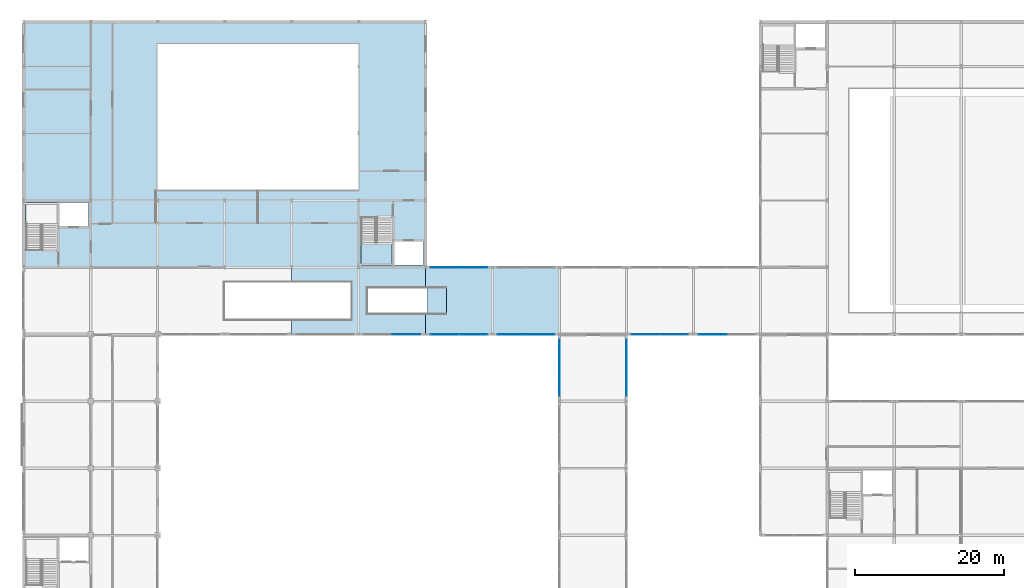
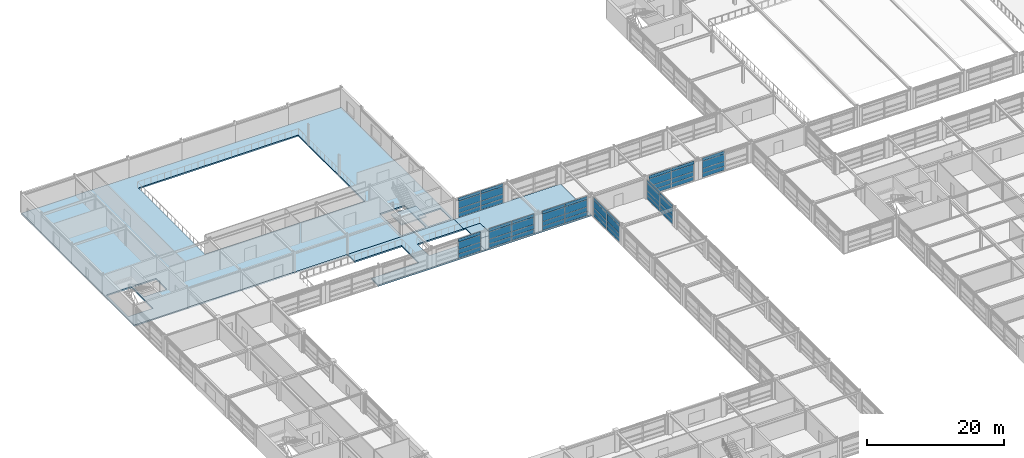
# One storey, part 55 of 79: 56 plates, 5 slabs, 8 elements without a shape of their own.
"""IFC4 building model written with IfcOpenShell, lengths in metres."""

from ifc_helpers import new_model, si_unit, direction, frame, origin, origin_2d, place, context, subcontext, project, spatial, polyline, rectangle, outline, extrude, material, layer, layer_set, type_object, element, aggregate, save


model = new_model("IFC4")

# Units and contexts
model_context = context("Model", 3, precision=1e-05, world=origin(), true_north=direction((0.0, 1.0)))
body_context = subcontext(model_context, "Body", "Model", "MODEL_VIEW")
ifc_project = project(units=[si_unit("LENGTHUNIT", "METRE"), si_unit("AREAUNIT", "SQUARE_METRE"), si_unit("VOLUMEUNIT", "CUBIC_METRE"), si_unit("PLANEANGLEUNIT", "RADIAN"), si_unit("MASSUNIT", "GRAM", prefix="KILO")], contexts=[model_context])

# Site, building, storey
site_placement = place(None, origin())
site = spatial("IfcSite", under=ifc_project, at=site_placement, CompositionType="ELEMENT")
building_placement = place(site_placement, origin())
building = spatial("IfcBuilding", under=site, at=building_placement, Name="Palais des Congres Ocreval", CompositionType="ELEMENT")
storey_placement = place(building_placement, frame((0.0, 0.0, 4.320068359375)))
storey = spatial("IfcBuildingStorey", under=building, at=storey_placement, Name="L01", CompositionType="ELEMENT", Elevation=4.320068359375)

# Curtain wall, plates
ifc_material_1 = material(Name="Anodized bronze aluminium and low-E glass", Category="glass")
curtain_wall_type = type_object("IfcCurtainWallType", Name="Unitised Curtain Wall 7900x3660", PredefinedType="USERDEFINED", material=ifc_material_1)
curtain_wall_1_placement = place(storey_placement, origin())
curtain_wall_1 = element("IfcCurtainWall", 1, at=curtain_wall_1_placement, inside=storey, type_object=curtain_wall_type, Name="Unitised Curtain Wall CW02 L01", ObjectType="UNITISED CURTAIN WALL", PredefinedType="USERDEFINED")
ifc_material_2 = material(Name="Acoustic triple glazing", Category="glass")
ifc_layer_1 = layer(ifc_material_2, 0.0439453125)
ifc_layer_set_1 = layer_set([ifc_layer_1], Name="Acoustic Laminated Glazing Panel 44 (Acoustic triple glazing)")
plate_type_1 = type_object("IfcPlateType", Name="Acoustic Laminated Glazing Panel 44", PredefinedType="CURTAIN_PANEL", material=ifc_layer_set_1)
plate_1_placement = place(storey_placement, frame((92.59375, 72.0, 0.06005859375), z_axis=(0.0, 0.0, 1.0), x_axis=(-1.0, 0.0, 0.0)))
plate_1 = element("IfcPlate", 2, at=plate_1_placement, type_object=plate_type_1, Name="Vision Glazing Panel VP02", PredefinedType="CURTAIN_PANEL", context=body_context, shape_type="SweptSolid", body=[
    extrude(rectangle(XDim=3.737548828125, YDim=0.0439453125, at=origin_2d()), origin(), (0.0, 0.0, 1.0), 0.68994140625),
])
plate_2_placement = place(storey_placement, frame((92.59375, 72.0, 0.81005859375), z_axis=(0.0, 0.0, 1.0), x_axis=(-1.0, 0.0, 0.0)))
plate_2 = element("IfcPlate", 3, at=plate_2_placement, type_object=plate_type_1, Name="Vision Glazing Panel VP02", PredefinedType="CURTAIN_PANEL", context=body_context, shape_type="SweptSolid", body=[
    extrude(rectangle(XDim=3.737548828125, YDim=0.0439453125, at=origin_2d()), origin(), (0.0, 0.0, 1.0), 0.777099609375),
])
plate_3_placement = place(storey_placement, frame((92.59375, 72.0, 1.64697265625), z_axis=(0.0, 0.0, 1.0), x_axis=(-1.0, 0.0, 0.0)))
plate_3 = element("IfcPlate", 4, at=plate_3_placement, type_object=plate_type_1, Name="Vision Glazing Panel VP02", PredefinedType="CURTAIN_PANEL", context=body_context, shape_type="SweptSolid", body=[
    extrude(rectangle(XDim=3.737548828125, YDim=0.0439453125, at=origin_2d()), origin(), (0.0, 0.0, 1.0), 1.262939453125),
])

curtain_wall_2_placement = place(storey_placement, origin())
curtain_wall_2 = element("IfcCurtainWall", 5, at=curtain_wall_2_placement, inside=storey, type_object=curtain_wall_type, Name="Unitised Curtain Wall CW02 L01", ObjectType="UNITISED CURTAIN WALL", PredefinedType="USERDEFINED")
plate_4_placement = place(storey_placement, frame((69.40625, 72.0, 0.06005859375), z_axis=(0.0, 0.0, 1.0), x_axis=(-1.0, 0.0, 0.0)))
plate_4 = element("IfcPlate", 6, at=plate_4_placement, type_object=plate_type_1, Name="Vision Glazing Panel VP02", PredefinedType="CURTAIN_PANEL", context=body_context, shape_type="SweptSolid", body=[
    extrude(rectangle(XDim=3.737548828125, YDim=0.0439453125, at=origin_2d()), origin(), (0.0, 0.0, 1.0), 0.68994140625),
])
plate_5_placement = place(storey_placement, frame((69.40625, 72.0, 0.81005859375), z_axis=(0.0, 0.0, 1.0), x_axis=(-1.0, 0.0, 0.0)))
plate_5 = element("IfcPlate", 7, at=plate_5_placement, type_object=plate_type_1, Name="Vision Glazing Panel VP02", PredefinedType="CURTAIN_PANEL", context=body_context, shape_type="SweptSolid", body=[
    extrude(rectangle(XDim=3.737548828125, YDim=0.0439453125, at=origin_2d()), origin(), (0.0, 0.0, 1.0), 0.777099609375),
])
plate_6_placement = place(storey_placement, frame((69.40625, 72.0, 1.64697265625), z_axis=(0.0, 0.0, 1.0), x_axis=(-1.0, 0.0, 0.0)))
plate_6 = element("IfcPlate", 8, at=plate_6_placement, type_object=plate_type_1, Name="Vision Glazing Panel VP02", PredefinedType="CURTAIN_PANEL", context=body_context, shape_type="SweptSolid", body=[
    extrude(rectangle(XDim=3.737548828125, YDim=0.0439453125, at=origin_2d()), origin(), (0.0, 0.0, 1.0), 1.262939453125),
])
plate_7_placement = place(storey_placement, frame((65.59375, 72.0, 0.06005859375), z_axis=(0.0, 0.0, 1.0), x_axis=(-1.0, 0.0, 0.0)))
plate_7 = element("IfcPlate", 9, at=plate_7_placement, type_object=plate_type_1, Name="Vision Glazing Panel VP02", PredefinedType="CURTAIN_PANEL", context=body_context, shape_type="SweptSolid", body=[
    extrude(rectangle(XDim=3.737548828125, YDim=0.0439453125, at=origin_2d()), origin(), (0.0, 0.0, 1.0), 0.68994140625),
])
plate_8_placement = place(storey_placement, frame((65.59375, 72.0, 0.81005859375), z_axis=(0.0, 0.0, 1.0), x_axis=(-1.0, 0.0, 0.0)))
plate_8 = element("IfcPlate", 10, at=plate_8_placement, type_object=plate_type_1, Name="Vision Glazing Panel VP02", PredefinedType="CURTAIN_PANEL", context=body_context, shape_type="SweptSolid", body=[
    extrude(rectangle(XDim=3.737548828125, YDim=0.0439453125, at=origin_2d()), origin(), (0.0, 0.0, 1.0), 0.777099609375),
])
plate_9_placement = place(storey_placement, frame((65.59375, 72.0, 1.64697265625), z_axis=(0.0, 0.0, 1.0), x_axis=(-1.0, 0.0, 0.0)))
plate_9 = element("IfcPlate", 11, at=plate_9_placement, type_object=plate_type_1, Name="Vision Glazing Panel VP02", PredefinedType="CURTAIN_PANEL", context=body_context, shape_type="SweptSolid", body=[
    extrude(rectangle(XDim=3.737548828125, YDim=0.0439453125, at=origin_2d()), origin(), (0.0, 0.0, 1.0), 1.262939453125),
])

# Plate
ifc_material_3 = material(Name="Anodized bronze aluminium", Category="aluminium")
ifc_layer_2 = layer(ifc_material_3, 0.06005859375)
ifc_layer_set_2 = layer_set([ifc_layer_2], Name="Anodized Bronze Spandrel Cassette 60 (Anodized bronze aluminium)")
plate_type_2 = type_object("IfcPlateType", Name="Anodized Bronze Spandrel Cassette 60", PredefinedType="SHEET", material=ifc_layer_set_2)
plate_10_placement = place(storey_placement, frame((92.59375, 72.0, 2.969970703125), z_axis=(0.0, 0.0, 1.0), x_axis=(-1.0, 0.0, 0.0)))
plate_10 = element("IfcPlate", 12, at=plate_10_placement, type_object=plate_type_2, Name="Spandrel Sheet SPN1", PredefinedType="SHEET", context=body_context, shape_type="SweptSolid", body=[
    extrude(rectangle(XDim=3.737548828125, YDim=0.06005859375, at=origin_2d()), origin(), (0.0, 0.0, 1.0), 0.56005859375),
])

aggregate(curtain_wall_1, [plate_1, plate_2, plate_3, plate_10])

# Curtain wall, plates
curtain_wall_3_placement = place(storey_placement, origin())
curtain_wall_3 = element("IfcCurtainWall", 13, at=curtain_wall_3_placement, inside=storey, type_object=curtain_wall_type, Name="Unitised Curtain Wall CW02 L01", ObjectType="UNITISED CURTAIN WALL", PredefinedType="USERDEFINED")
plate_11_placement = place(storey_placement, frame((81.0, 69.40625, 2.969970703125), z_axis=(0.0, 0.0, 1.0), x_axis=(0.0, -1.0, 0.0)))
plate_11 = element("IfcPlate", 14, at=plate_11_placement, type_object=plate_type_2, Name="Spandrel Sheet SPN1", PredefinedType="SHEET", context=body_context, shape_type="SweptSolid", body=[
    extrude(rectangle(XDim=3.737548828125, YDim=0.06005859375, at=origin_2d()), origin(), (0.0, 0.0, 1.0), 0.56005859375),
])
plate_12_placement = place(storey_placement, frame((81.0, 65.59375, 2.969970703125), z_axis=(0.0, 0.0, 1.0), x_axis=(0.0, -1.0, 0.0)))
plate_12 = element("IfcPlate", 15, at=plate_12_placement, type_object=plate_type_2, Name="Spandrel Sheet SPN1", PredefinedType="SHEET", context=body_context, shape_type="SweptSolid", body=[
    extrude(rectangle(XDim=3.737548828125, YDim=0.06005859375, at=origin_2d()), origin(), (0.0, 0.0, 1.0), 0.56005859375),
])

curtain_wall_4_placement = place(storey_placement, origin())
curtain_wall_4 = element("IfcCurtainWall", 16, at=curtain_wall_4_placement, inside=storey, type_object=curtain_wall_type, Name="Unitised Curtain Wall CW02 L01", ObjectType="UNITISED CURTAIN WALL", PredefinedType="USERDEFINED")
plate_13_placement = place(storey_placement, frame((72.0, 65.59375, 2.969970703125), z_axis=(0.0, 0.0, 1.0), x_axis=(0.0, 1.0, 0.0)))
plate_13 = element("IfcPlate", 17, at=plate_13_placement, type_object=plate_type_2, Name="Spandrel Sheet SPN1", PredefinedType="SHEET", context=body_context, shape_type="SweptSolid", body=[
    extrude(rectangle(XDim=3.737548828125, YDim=0.06005859375, at=origin_2d()), origin(), (0.0, 0.0, 1.0), 0.56005859375),
])
plate_14_placement = place(storey_placement, frame((72.0, 69.40625, 2.969970703125), z_axis=(0.0, 0.0, 1.0), x_axis=(0.0, 1.0, 0.0)))
plate_14 = element("IfcPlate", 18, at=plate_14_placement, type_object=plate_type_2, Name="Spandrel Sheet SPN1", PredefinedType="SHEET", context=body_context, shape_type="SweptSolid", body=[
    extrude(rectangle(XDim=3.737548828125, YDim=0.06005859375, at=origin_2d()), origin(), (0.0, 0.0, 1.0), 0.56005859375),
])

curtain_wall_5_placement = place(storey_placement, origin())
curtain_wall_5 = element("IfcCurtainWall", 19, at=curtain_wall_5_placement, inside=storey, type_object=curtain_wall_type, Name="Unitised Curtain Wall CW02 L01", ObjectType="UNITISED CURTAIN WALL", PredefinedType="USERDEFINED")
plate_15_placement = place(storey_placement, frame((60.40625, 72.0, 2.969970703125), z_axis=(0.0, 0.0, 1.0), x_axis=(-1.0, 0.0, 0.0)))
plate_15 = element("IfcPlate", 20, at=plate_15_placement, type_object=plate_type_2, Name="Spandrel Sheet SPN1", PredefinedType="SHEET", context=body_context, shape_type="SweptSolid", body=[
    extrude(rectangle(XDim=3.737548828125, YDim=0.06005859375, at=origin_2d()), origin(), (0.0, 0.0, 1.0), 0.56005859375),
])
plate_16_placement = place(storey_placement, frame((56.59375, 72.0, 2.969970703125), z_axis=(0.0, 0.0, 1.0), x_axis=(-1.0, 0.0, 0.0)))
plate_16 = element("IfcPlate", 21, at=plate_16_placement, type_object=plate_type_2, Name="Spandrel Sheet SPN1", PredefinedType="SHEET", context=body_context, shape_type="SweptSolid", body=[
    extrude(rectangle(XDim=3.737548828125, YDim=0.06005859375, at=origin_2d()), origin(), (0.0, 0.0, 1.0), 0.56005859375),
])

# Slabs
ifc_material_4 = material(Name="Concrete C35/45", Category="concrete")
ifc_layer_3 = layer(ifc_material_4, 0.2548828125)
ifc_layer_set_3 = layer_set([ifc_layer_3], Name="Composite Floor Deck 255 Concrete C35/45")
slab_type_1 = type_object("IfcSlabType", Name="Composite Floor Deck 255 Concrete C35/45", PredefinedType="FLOOR", material=ifc_layer_set_3)
slab_1_placement = place(storey_placement, frame((0.0, 0.0, -0.255126953125)))
element("IfcSlab", 22, at=slab_1_placement, inside=storey, type_object=slab_type_1, Name="Floor Slab SL13 L01 V1-1", PredefinedType="FLOOR", context=body_context, shape_type="SweptSolid", body=[
    extrude(outline(polyline([(0.0, 114.0), (54.0, 114.0), (54.0, 81.0), (0.0, 81.0), (0.0, 114.0)]), holes=[polyline([(49.5, 87.64990234375), (45.300048828125, 87.64990234375), (45.300048828125, 81.300048828125), (49.5, 81.300048828125), (49.5, 87.64990234375)]), polyline([(4.5, 89.699951171875), (0.300048828125, 89.699951171875), (0.300048828125, 83.35009765625), (4.5, 83.35009765625), (4.5, 89.699951171875)]), polyline([(8.699951171875, 89.699951171875), (4.800048828125, 89.699951171875), (4.800048828125, 86.550048828125), (8.699951171875, 86.550048828125), (8.699951171875, 89.699951171875)]), polyline([(45.0, 111.0), (18.0, 111.0), (18.0, 91.5), (45.0, 91.5), (45.0, 111.0)]), polyline([(53.699951171875, 84.449951171875), (49.800048828125, 84.449951171875), (49.800048828125, 81.300048828125), (53.699951171875, 81.300048828125), (53.699951171875, 84.449951171875)])]), origin(), (0.0, 0.0, 1.0), 0.255126953125),
])
ifc_layer_4 = layer(ifc_material_4, 0.264892578125)
ifc_layer_set_4 = layer_set([ifc_layer_4], Name="Crossroads Gallery Composite Slab 265 Concrete C35/45")
slab_type_2 = type_object("IfcSlabType", Name="Crossroads Gallery Composite Slab 265 Concrete C35/45", PredefinedType="FLOOR", material=ifc_layer_set_4)
slab_2_placement = place(storey_placement, frame((0.0, 0.0, -0.26513671875)))
element("IfcSlab", 23, at=slab_2_placement, inside=storey, type_object=slab_type_2, Name="Floor Slab SL14 L01 V5-3", PredefinedType="FLOOR", context=body_context, shape_type="SweptSolid", body=[
    extrude(outline(polyline([(54.0, 81.0), (54.0, 78.199951171875), (46.199951171875, 78.199951171875), (46.199951171875, 74.800048828125), (54.0, 74.800048828125), (54.0, 72.0), (36.0, 72.0), (36.0, 74.0), (44.0, 74.0), (44.0, 79.0), (36.0, 79.0), (36.0, 81.0), (54.0, 81.0)])), origin(), (0.0, 0.0, 1.0), 0.26513671875),
])
slab_3_placement = place(storey_placement, frame((0.0, 0.0, -0.26513671875)))
element("IfcSlab", 24, at=slab_3_placement, inside=storey, type_object=slab_type_2, Name="Floor Slab SL14 L01 V5-4", PredefinedType="FLOOR", context=body_context, shape_type="SweptSolid", body=[
    extrude(outline(polyline([(72.0, 81.0), (72.0, 72.0), (54.0, 72.0), (54.0, 74.800048828125), (56.800048828125, 74.800048828125), (56.800048828125, 78.199951171875), (54.0, 78.199951171875), (54.0, 81.0), (72.0, 81.0)])), origin(), (0.0, 0.0, 1.0), 0.26513671875),
])

# Curtain wall, plates
curtain_wall_6_placement = place(storey_placement, origin())
curtain_wall_6 = element("IfcCurtainWall", 25, at=curtain_wall_6_placement, inside=storey, type_object=curtain_wall_type, Name="Unitised Curtain Wall CW02 L01", ObjectType="UNITISED CURTAIN WALL", PredefinedType="USERDEFINED")
ifc_material_5 = material(Name="Low-E solar-control double glazing", Category="glass")
ifc_layer_5 = layer(ifc_material_5, 0.031982421875)
ifc_layer_set_5 = layer_set([ifc_layer_5], Name="Galleria Clear Vision Panel 32 (Low-E solar-control double glazing)")
plate_type_3 = type_object("IfcPlateType", Name="Galleria Clear Vision Panel 32", PredefinedType="CURTAIN_PANEL", material=ifc_layer_set_5)
plate_17_placement = place(storey_placement, frame((56.59375, 81.0, 0.06005859375), z_axis=(0.0, 0.0, 1.0), x_axis=(1.0, 0.0, 0.0)))
plate_17 = element("IfcPlate", 26, at=plate_17_placement, type_object=plate_type_3, Name="Vision Glazing Panel VP03", PredefinedType="CURTAIN_PANEL", context=body_context, shape_type="SweptSolid", body=[
    extrude(rectangle(XDim=3.737548828125, YDim=0.031982421875, at=origin_2d()), origin(), (0.0, 0.0, 1.0), 0.68994140625),
])
plate_18_placement = place(storey_placement, frame((56.59375, 81.0, 0.81005859375), z_axis=(0.0, 0.0, 1.0), x_axis=(1.0, 0.0, 0.0)))
plate_18 = element("IfcPlate", 27, at=plate_18_placement, type_object=plate_type_3, Name="Vision Glazing Panel VP03", PredefinedType="CURTAIN_PANEL", context=body_context, shape_type="SweptSolid", body=[
    extrude(rectangle(XDim=3.737548828125, YDim=0.031982421875, at=origin_2d()), origin(), (0.0, 0.0, 1.0), 0.777099609375),
])
plate_19_placement = place(storey_placement, frame((56.59375, 81.0, 1.64697265625), z_axis=(0.0, 0.0, 1.0), x_axis=(1.0, 0.0, 0.0)))
plate_19 = element("IfcPlate", 28, at=plate_19_placement, type_object=plate_type_3, Name="Vision Glazing Panel VP03", PredefinedType="CURTAIN_PANEL", context=body_context, shape_type="SweptSolid", body=[
    extrude(rectangle(XDim=3.737548828125, YDim=0.031982421875, at=origin_2d()), origin(), (0.0, 0.0, 1.0), 1.262939453125),
])
plate_20_placement = place(storey_placement, frame((60.40625, 81.0, 0.06005859375), z_axis=(0.0, 0.0, 1.0), x_axis=(1.0, 0.0, 0.0)))
plate_20 = element("IfcPlate", 29, at=plate_20_placement, type_object=plate_type_3, Name="Vision Glazing Panel VP03", PredefinedType="CURTAIN_PANEL", context=body_context, shape_type="SweptSolid", body=[
    extrude(rectangle(XDim=3.737548828125, YDim=0.031982421875, at=origin_2d()), origin(), (0.0, 0.0, 1.0), 0.68994140625),
])
plate_21_placement = place(storey_placement, frame((60.40625, 81.0, 0.81005859375), z_axis=(0.0, 0.0, 1.0), x_axis=(1.0, 0.0, 0.0)))
plate_21 = element("IfcPlate", 30, at=plate_21_placement, type_object=plate_type_3, Name="Vision Glazing Panel VP03", PredefinedType="CURTAIN_PANEL", context=body_context, shape_type="SweptSolid", body=[
    extrude(rectangle(XDim=3.737548828125, YDim=0.031982421875, at=origin_2d()), origin(), (0.0, 0.0, 1.0), 0.777099609375),
])
plate_22_placement = place(storey_placement, frame((60.40625, 81.0, 1.64697265625), z_axis=(0.0, 0.0, 1.0), x_axis=(1.0, 0.0, 0.0)))
plate_22 = element("IfcPlate", 31, at=plate_22_placement, type_object=plate_type_3, Name="Vision Glazing Panel VP03", PredefinedType="CURTAIN_PANEL", context=body_context, shape_type="SweptSolid", body=[
    extrude(rectangle(XDim=3.737548828125, YDim=0.031982421875, at=origin_2d()), origin(), (0.0, 0.0, 1.0), 1.262939453125),
])

curtain_wall_7_placement = place(storey_placement, origin())
curtain_wall_7 = element("IfcCurtainWall", 32, at=curtain_wall_7_placement, inside=storey, type_object=curtain_wall_type, Name="Unitised Curtain Wall CW02 L01", ObjectType="UNITISED CURTAIN WALL", PredefinedType="USERDEFINED")
plate_23_placement = place(storey_placement, frame((87.40625, 72.0, 0.06005859375), z_axis=(0.0, 0.0, 1.0), x_axis=(-1.0, 0.0, 0.0)))
plate_23 = element("IfcPlate", 33, at=plate_23_placement, type_object=plate_type_3, Name="Vision Glazing Panel VP03", PredefinedType="CURTAIN_PANEL", context=body_context, shape_type="SweptSolid", body=[
    extrude(rectangle(XDim=3.737548828125, YDim=0.031982421875, at=origin_2d()), origin(), (0.0, 0.0, 1.0), 0.68994140625),
])
plate_24_placement = place(storey_placement, frame((87.40625, 72.0, 0.81005859375), z_axis=(0.0, 0.0, 1.0), x_axis=(-1.0, 0.0, 0.0)))
plate_24 = element("IfcPlate", 34, at=plate_24_placement, type_object=plate_type_3, Name="Vision Glazing Panel VP03", PredefinedType="CURTAIN_PANEL", context=body_context, shape_type="SweptSolid", body=[
    extrude(rectangle(XDim=3.737548828125, YDim=0.031982421875, at=origin_2d()), origin(), (0.0, 0.0, 1.0), 0.777099609375),
])
plate_25_placement = place(storey_placement, frame((87.40625, 72.0, 1.64697265625), z_axis=(0.0, 0.0, 1.0), x_axis=(-1.0, 0.0, 0.0)))
plate_25 = element("IfcPlate", 35, at=plate_25_placement, type_object=plate_type_3, Name="Vision Glazing Panel VP03", PredefinedType="CURTAIN_PANEL", context=body_context, shape_type="SweptSolid", body=[
    extrude(rectangle(XDim=3.737548828125, YDim=0.031982421875, at=origin_2d()), origin(), (0.0, 0.0, 1.0), 1.262939453125),
])
plate_26_placement = place(storey_placement, frame((83.59375, 72.0, 0.06005859375), z_axis=(0.0, 0.0, 1.0), x_axis=(-1.0, 0.0, 0.0)))
plate_26 = element("IfcPlate", 36, at=plate_26_placement, type_object=plate_type_3, Name="Vision Glazing Panel VP03", PredefinedType="CURTAIN_PANEL", context=body_context, shape_type="SweptSolid", body=[
    extrude(rectangle(XDim=3.737548828125, YDim=0.031982421875, at=origin_2d()), origin(), (0.0, 0.0, 1.0), 0.68994140625),
])
plate_27_placement = place(storey_placement, frame((83.59375, 72.0, 0.81005859375), z_axis=(0.0, 0.0, 1.0), x_axis=(-1.0, 0.0, 0.0)))
plate_27 = element("IfcPlate", 37, at=plate_27_placement, type_object=plate_type_3, Name="Vision Glazing Panel VP03", PredefinedType="CURTAIN_PANEL", context=body_context, shape_type="SweptSolid", body=[
    extrude(rectangle(XDim=3.737548828125, YDim=0.031982421875, at=origin_2d()), origin(), (0.0, 0.0, 1.0), 0.777099609375),
])
plate_28_placement = place(storey_placement, frame((83.59375, 72.0, 1.64697265625), z_axis=(0.0, 0.0, 1.0), x_axis=(-1.0, 0.0, 0.0)))
plate_28 = element("IfcPlate", 38, at=plate_28_placement, type_object=plate_type_3, Name="Vision Glazing Panel VP03", PredefinedType="CURTAIN_PANEL", context=body_context, shape_type="SweptSolid", body=[
    extrude(rectangle(XDim=3.737548828125, YDim=0.031982421875, at=origin_2d()), origin(), (0.0, 0.0, 1.0), 1.262939453125),
])

# Plate
plate_29_placement = place(storey_placement, frame((60.40625, 72.0, 0.06005859375), z_axis=(0.0, 0.0, 1.0), x_axis=(-1.0, 0.0, 0.0)))
plate_29 = element("IfcPlate", 39, at=plate_29_placement, type_object=plate_type_3, Name="Vision Glazing Panel VP03", PredefinedType="CURTAIN_PANEL", context=body_context, shape_type="SweptSolid", body=[
    extrude(rectangle(XDim=3.737548828125, YDim=0.031982421875, at=origin_2d()), origin(), (0.0, 0.0, 1.0), 0.68994140625),
])

plate_30_placement = place(storey_placement, frame((60.40625, 72.0, 0.81005859375), z_axis=(0.0, 0.0, 1.0), x_axis=(-1.0, 0.0, 0.0)))
plate_30 = element("IfcPlate", 40, at=plate_30_placement, type_object=plate_type_3, Name="Vision Glazing Panel VP03", PredefinedType="CURTAIN_PANEL", context=body_context, shape_type="SweptSolid", body=[
    extrude(rectangle(XDim=3.737548828125, YDim=0.031982421875, at=origin_2d()), origin(), (0.0, 0.0, 1.0), 0.777099609375),
])

plate_31_placement = place(storey_placement, frame((60.40625, 72.0, 1.64697265625), z_axis=(0.0, 0.0, 1.0), x_axis=(-1.0, 0.0, 0.0)))
plate_31 = element("IfcPlate", 41, at=plate_31_placement, type_object=plate_type_3, Name="Vision Glazing Panel VP03", PredefinedType="CURTAIN_PANEL", context=body_context, shape_type="SweptSolid", body=[
    extrude(rectangle(XDim=3.737548828125, YDim=0.031982421875, at=origin_2d()), origin(), (0.0, 0.0, 1.0), 1.262939453125),
])

plate_32_placement = place(storey_placement, frame((56.59375, 72.0, 0.06005859375), z_axis=(0.0, 0.0, 1.0), x_axis=(-1.0, 0.0, 0.0)))
plate_32 = element("IfcPlate", 42, at=plate_32_placement, type_object=plate_type_3, Name="Vision Glazing Panel VP03", PredefinedType="CURTAIN_PANEL", context=body_context, shape_type="SweptSolid", body=[
    extrude(rectangle(XDim=3.737548828125, YDim=0.031982421875, at=origin_2d()), origin(), (0.0, 0.0, 1.0), 0.68994140625),
])

plate_33_placement = place(storey_placement, frame((56.59375, 72.0, 0.81005859375), z_axis=(0.0, 0.0, 1.0), x_axis=(-1.0, 0.0, 0.0)))
plate_33 = element("IfcPlate", 43, at=plate_33_placement, type_object=plate_type_3, Name="Vision Glazing Panel VP03", PredefinedType="CURTAIN_PANEL", context=body_context, shape_type="SweptSolid", body=[
    extrude(rectangle(XDim=3.737548828125, YDim=0.031982421875, at=origin_2d()), origin(), (0.0, 0.0, 1.0), 0.777099609375),
])

plate_34_placement = place(storey_placement, frame((56.59375, 72.0, 1.64697265625), z_axis=(0.0, 0.0, 1.0), x_axis=(-1.0, 0.0, 0.0)))
plate_34 = element("IfcPlate", 44, at=plate_34_placement, type_object=plate_type_3, Name="Vision Glazing Panel VP03", PredefinedType="CURTAIN_PANEL", context=body_context, shape_type="SweptSolid", body=[
    extrude(rectangle(XDim=3.737548828125, YDim=0.031982421875, at=origin_2d()), origin(), (0.0, 0.0, 1.0), 1.262939453125),
])

aggregate(curtain_wall_5, [plate_29, plate_30, plate_31, plate_15, plate_32, plate_33, plate_34, plate_16])

ifc_layer_6 = layer(ifc_material_5, 0.035888671875)
ifc_layer_set_6 = layer_set([ifc_layer_6], Name="Low-E Vision Glazing Panel 36 (Low-E solar-control double glazing)")
plate_type_4 = type_object("IfcPlateType", Name="Low-E Vision Glazing Panel 36", PredefinedType="CURTAIN_PANEL", material=ifc_layer_set_6)
plate_35_placement = place(storey_placement, frame((81.0, 69.40625, 0.06005859375), z_axis=(0.0, 0.0, 1.0), x_axis=(0.0, -1.0, 0.0)))
plate_35 = element("IfcPlate", 45, at=plate_35_placement, type_object=plate_type_4, Name="Vision Glazing Panel VP01", PredefinedType="CURTAIN_PANEL", context=body_context, shape_type="SweptSolid", body=[
    extrude(rectangle(XDim=3.737548828125, YDim=0.035888671875, at=origin_2d()), origin(), (0.0, 0.0, 1.0), 0.68994140625),
])

plate_36_placement = place(storey_placement, frame((81.0, 69.40625, 0.81005859375), z_axis=(0.0, 0.0, 1.0), x_axis=(0.0, -1.0, 0.0)))
plate_36 = element("IfcPlate", 46, at=plate_36_placement, type_object=plate_type_4, Name="Vision Glazing Panel VP01", PredefinedType="CURTAIN_PANEL", context=body_context, shape_type="SweptSolid", body=[
    extrude(rectangle(XDim=3.737548828125, YDim=0.035888671875, at=origin_2d()), origin(), (0.0, 0.0, 1.0), 0.777099609375),
])

plate_37_placement = place(storey_placement, frame((81.0, 69.40625, 1.64697265625), z_axis=(0.0, 0.0, 1.0), x_axis=(0.0, -1.0, 0.0)))
plate_37 = element("IfcPlate", 47, at=plate_37_placement, type_object=plate_type_4, Name="Vision Glazing Panel VP01", PredefinedType="CURTAIN_PANEL", context=body_context, shape_type="SweptSolid", body=[
    extrude(rectangle(XDim=3.737548828125, YDim=0.035888671875, at=origin_2d()), origin(), (0.0, 0.0, 1.0), 1.262939453125),
])

plate_38_placement = place(storey_placement, frame((81.0, 65.59375, 0.06005859375), z_axis=(0.0, 0.0, 1.0), x_axis=(0.0, -1.0, 0.0)))
plate_38 = element("IfcPlate", 48, at=plate_38_placement, type_object=plate_type_4, Name="Vision Glazing Panel VP01", PredefinedType="CURTAIN_PANEL", context=body_context, shape_type="SweptSolid", body=[
    extrude(rectangle(XDim=3.737548828125, YDim=0.035888671875, at=origin_2d()), origin(), (0.0, 0.0, 1.0), 0.68994140625),
])

plate_39_placement = place(storey_placement, frame((81.0, 65.59375, 0.81005859375), z_axis=(0.0, 0.0, 1.0), x_axis=(0.0, -1.0, 0.0)))
plate_39 = element("IfcPlate", 49, at=plate_39_placement, type_object=plate_type_4, Name="Vision Glazing Panel VP01", PredefinedType="CURTAIN_PANEL", context=body_context, shape_type="SweptSolid", body=[
    extrude(rectangle(XDim=3.737548828125, YDim=0.035888671875, at=origin_2d()), origin(), (0.0, 0.0, 1.0), 0.777099609375),
])

plate_40_placement = place(storey_placement, frame((81.0, 65.59375, 1.64697265625), z_axis=(0.0, 0.0, 1.0), x_axis=(0.0, -1.0, 0.0)))
plate_40 = element("IfcPlate", 50, at=plate_40_placement, type_object=plate_type_4, Name="Vision Glazing Panel VP01", PredefinedType="CURTAIN_PANEL", context=body_context, shape_type="SweptSolid", body=[
    extrude(rectangle(XDim=3.737548828125, YDim=0.035888671875, at=origin_2d()), origin(), (0.0, 0.0, 1.0), 1.262939453125),
])

aggregate(curtain_wall_3, [plate_35, plate_36, plate_37, plate_11, plate_38, plate_39, plate_40, plate_12])

plate_41_placement = place(storey_placement, frame((72.0, 65.59375, 0.06005859375), z_axis=(0.0, 0.0, 1.0), x_axis=(0.0, 1.0, 0.0)))
plate_41 = element("IfcPlate", 51, at=plate_41_placement, type_object=plate_type_4, Name="Vision Glazing Panel VP01", PredefinedType="CURTAIN_PANEL", context=body_context, shape_type="SweptSolid", body=[
    extrude(rectangle(XDim=3.737548828125, YDim=0.035888671875, at=origin_2d()), origin(), (0.0, 0.0, 1.0), 0.68994140625),
])

plate_42_placement = place(storey_placement, frame((72.0, 65.59375, 0.81005859375), z_axis=(0.0, 0.0, 1.0), x_axis=(0.0, 1.0, 0.0)))
plate_42 = element("IfcPlate", 52, at=plate_42_placement, type_object=plate_type_4, Name="Vision Glazing Panel VP01", PredefinedType="CURTAIN_PANEL", context=body_context, shape_type="SweptSolid", body=[
    extrude(rectangle(XDim=3.737548828125, YDim=0.035888671875, at=origin_2d()), origin(), (0.0, 0.0, 1.0), 0.777099609375),
])

plate_43_placement = place(storey_placement, frame((72.0, 65.59375, 1.64697265625), z_axis=(0.0, 0.0, 1.0), x_axis=(0.0, 1.0, 0.0)))
plate_43 = element("IfcPlate", 53, at=plate_43_placement, type_object=plate_type_4, Name="Vision Glazing Panel VP01", PredefinedType="CURTAIN_PANEL", context=body_context, shape_type="SweptSolid", body=[
    extrude(rectangle(XDim=3.737548828125, YDim=0.035888671875, at=origin_2d()), origin(), (0.0, 0.0, 1.0), 1.262939453125),
])

plate_44_placement = place(storey_placement, frame((72.0, 69.40625, 0.06005859375), z_axis=(0.0, 0.0, 1.0), x_axis=(0.0, 1.0, 0.0)))
plate_44 = element("IfcPlate", 54, at=plate_44_placement, type_object=plate_type_4, Name="Vision Glazing Panel VP01", PredefinedType="CURTAIN_PANEL", context=body_context, shape_type="SweptSolid", body=[
    extrude(rectangle(XDim=3.737548828125, YDim=0.035888671875, at=origin_2d()), origin(), (0.0, 0.0, 1.0), 0.68994140625),
])

plate_45_placement = place(storey_placement, frame((72.0, 69.40625, 0.81005859375), z_axis=(0.0, 0.0, 1.0), x_axis=(0.0, 1.0, 0.0)))
plate_45 = element("IfcPlate", 55, at=plate_45_placement, type_object=plate_type_4, Name="Vision Glazing Panel VP01", PredefinedType="CURTAIN_PANEL", context=body_context, shape_type="SweptSolid", body=[
    extrude(rectangle(XDim=3.737548828125, YDim=0.035888671875, at=origin_2d()), origin(), (0.0, 0.0, 1.0), 0.777099609375),
])

plate_46_placement = place(storey_placement, frame((72.0, 69.40625, 1.64697265625), z_axis=(0.0, 0.0, 1.0), x_axis=(0.0, 1.0, 0.0)))
plate_46 = element("IfcPlate", 56, at=plate_46_placement, type_object=plate_type_4, Name="Vision Glazing Panel VP01", PredefinedType="CURTAIN_PANEL", context=body_context, shape_type="SweptSolid", body=[
    extrude(rectangle(XDim=3.737548828125, YDim=0.035888671875, at=origin_2d()), origin(), (0.0, 0.0, 1.0), 1.262939453125),
])

aggregate(curtain_wall_4, [plate_41, plate_42, plate_43, plate_13, plate_44, plate_45, plate_46, plate_14])

# Curtain wall, plates
curtain_wall_8_placement = place(storey_placement, origin())
curtain_wall_8 = element("IfcCurtainWall", 57, at=curtain_wall_8_placement, inside=storey, type_object=curtain_wall_type, Name="Unitised Curtain Wall CW02 L01", ObjectType="UNITISED CURTAIN WALL", PredefinedType="USERDEFINED")
plate_47_placement = place(storey_placement, frame((51.40625, 72.0, 0.06005859375), z_axis=(0.0, 0.0, 1.0), x_axis=(-1.0, 0.0, 0.0)))
plate_47 = element("IfcPlate", 58, at=plate_47_placement, type_object=plate_type_4, Name="Vision Glazing Panel VP01", PredefinedType="CURTAIN_PANEL", context=body_context, shape_type="SweptSolid", body=[
    extrude(rectangle(XDim=3.737548828125, YDim=0.035888671875, at=origin_2d()), origin(), (0.0, 0.0, 1.0), 0.68994140625),
])
plate_48_placement = place(storey_placement, frame((51.40625, 72.0, 0.81005859375), z_axis=(0.0, 0.0, 1.0), x_axis=(-1.0, 0.0, 0.0)))
plate_48 = element("IfcPlate", 59, at=plate_48_placement, type_object=plate_type_4, Name="Vision Glazing Panel VP01", PredefinedType="CURTAIN_PANEL", context=body_context, shape_type="SweptSolid", body=[
    extrude(rectangle(XDim=3.737548828125, YDim=0.035888671875, at=origin_2d()), origin(), (0.0, 0.0, 1.0), 0.777099609375),
])
plate_49_placement = place(storey_placement, frame((51.40625, 72.0, 1.64697265625), z_axis=(0.0, 0.0, 1.0), x_axis=(-1.0, 0.0, 0.0)))
plate_49 = element("IfcPlate", 60, at=plate_49_placement, type_object=plate_type_4, Name="Vision Glazing Panel VP01", PredefinedType="CURTAIN_PANEL", context=body_context, shape_type="SweptSolid", body=[
    extrude(rectangle(XDim=3.737548828125, YDim=0.035888671875, at=origin_2d()), origin(), (0.0, 0.0, 1.0), 1.262939453125),
])

# Slabs
ifc_material_6 = material(Name="Concrete C40/50", Category="concrete")
ifc_layer_7 = layer(ifc_material_6, 0.199951171875)
ifc_layer_set_7 = layer_set([ifc_layer_7], Name="Stair and Ramp Landing Slab 200 Concrete C40/50")
slab_type_3 = type_object("IfcSlabType", Name="Stair and Ramp Landing Slab 200 Concrete C40/50", PredefinedType="LANDING", material=ifc_layer_set_7)
slab_4_placement = place(storey_placement, frame((0.0, 0.0, 1.719970703125)))
element("IfcSlab", 61, at=slab_4_placement, inside=storey, type_object=slab_type_3, Name="Stair Half-Landing ST06 L01", PredefinedType="LANDING", context=body_context, shape_type="SweptSolid", body=[
    extrude(outline(polyline([(45.300048828125, 81.300048828125), (49.5, 81.300048828125), (49.5, 84.35009765625), (45.300048828125, 84.35009765625), (45.300048828125, 81.300048828125)])), origin(), (0.0, 0.0, 1.0), 0.199951171875),
])
slab_5_placement = place(storey_placement, frame((0.0, 0.0, -0.199951171875)))
element("IfcSlab", 62, at=slab_5_placement, inside=storey, type_object=slab_type_3, Name="Feature Stair Upper Landing ST11", PredefinedType="LANDING", context=body_context, shape_type="SweptSolid", body=[
    extrude(outline(polyline([(54.300048828125, 74.800048828125), (56.800048828125, 74.800048828125), (56.800048828125, 78.199951171875), (54.300048828125, 78.199951171875), (54.300048828125, 74.800048828125)])), origin(), (0.0, 0.0, 1.0), 0.199951171875),
])

# Plate
ifc_material_7 = material(Name="Terracotta ceramic spandrel", Category="masonry")
ifc_layer_8 = layer(ifc_material_7, 0.080078125)
ifc_layer_set_8 = layer_set([ifc_layer_8], Name="Terracotta Insulated Spandrel Sheet 80 (Terracotta ceramic spandrel)")
plate_type_5 = type_object("IfcPlateType", Name="Terracotta Insulated Spandrel Sheet 80", PredefinedType="SHEET", material=ifc_layer_set_8)
plate_50_placement = place(storey_placement, frame((56.59375, 81.0, 2.969970703125), z_axis=(0.0, 0.0, 1.0), x_axis=(1.0, 0.0, 0.0)))
plate_50 = element("IfcPlate", 63, at=plate_50_placement, type_object=plate_type_5, Name="Spandrel Sheet SPN2", PredefinedType="SHEET", context=body_context, shape_type="SweptSolid", body=[
    extrude(rectangle(XDim=3.737548828125, YDim=0.080078125, at=origin_2d()), origin(), (0.0, 0.0, 1.0), 0.56005859375),
])

plate_51_placement = place(storey_placement, frame((60.40625, 81.0, 2.969970703125), z_axis=(0.0, 0.0, 1.0), x_axis=(1.0, 0.0, 0.0)))
plate_51 = element("IfcPlate", 64, at=plate_51_placement, type_object=plate_type_5, Name="Spandrel Sheet SPN2", PredefinedType="SHEET", context=body_context, shape_type="SweptSolid", body=[
    extrude(rectangle(XDim=3.737548828125, YDim=0.080078125, at=origin_2d()), origin(), (0.0, 0.0, 1.0), 0.56005859375),
])

aggregate(curtain_wall_6, [plate_17, plate_18, plate_19, plate_50, plate_20, plate_21, plate_22, plate_51])

plate_52_placement = place(storey_placement, frame((87.40625, 72.0, 2.969970703125), z_axis=(0.0, 0.0, 1.0), x_axis=(-1.0, 0.0, 0.0)))
plate_52 = element("IfcPlate", 65, at=plate_52_placement, type_object=plate_type_5, Name="Spandrel Sheet SPN2", PredefinedType="SHEET", context=body_context, shape_type="SweptSolid", body=[
    extrude(rectangle(XDim=3.737548828125, YDim=0.080078125, at=origin_2d()), origin(), (0.0, 0.0, 1.0), 0.56005859375),
])

plate_53_placement = place(storey_placement, frame((83.59375, 72.0, 2.969970703125), z_axis=(0.0, 0.0, 1.0), x_axis=(-1.0, 0.0, 0.0)))
plate_53 = element("IfcPlate", 66, at=plate_53_placement, type_object=plate_type_5, Name="Spandrel Sheet SPN2", PredefinedType="SHEET", context=body_context, shape_type="SweptSolid", body=[
    extrude(rectangle(XDim=3.737548828125, YDim=0.080078125, at=origin_2d()), origin(), (0.0, 0.0, 1.0), 0.56005859375),
])

aggregate(curtain_wall_7, [plate_23, plate_24, plate_25, plate_52, plate_26, plate_27, plate_28, plate_53])

plate_54_placement = place(storey_placement, frame((69.40625, 72.0, 2.969970703125), z_axis=(0.0, 0.0, 1.0), x_axis=(-1.0, 0.0, 0.0)))
plate_54 = element("IfcPlate", 67, at=plate_54_placement, type_object=plate_type_5, Name="Spandrel Sheet SPN2", PredefinedType="SHEET", context=body_context, shape_type="SweptSolid", body=[
    extrude(rectangle(XDim=3.737548828125, YDim=0.080078125, at=origin_2d()), origin(), (0.0, 0.0, 1.0), 0.56005859375),
])

plate_55_placement = place(storey_placement, frame((65.59375, 72.0, 2.969970703125), z_axis=(0.0, 0.0, 1.0), x_axis=(-1.0, 0.0, 0.0)))
plate_55 = element("IfcPlate", 68, at=plate_55_placement, type_object=plate_type_5, Name="Spandrel Sheet SPN2", PredefinedType="SHEET", context=body_context, shape_type="SweptSolid", body=[
    extrude(rectangle(XDim=3.737548828125, YDim=0.080078125, at=origin_2d()), origin(), (0.0, 0.0, 1.0), 0.56005859375),
])

aggregate(curtain_wall_2, [plate_4, plate_5, plate_6, plate_54, plate_7, plate_8, plate_9, plate_55])

plate_56_placement = place(storey_placement, frame((51.40625, 72.0, 2.969970703125), z_axis=(0.0, 0.0, 1.0), x_axis=(-1.0, 0.0, 0.0)))
plate_56 = element("IfcPlate", 69, at=plate_56_placement, type_object=plate_type_5, Name="Spandrel Sheet SPN2", PredefinedType="SHEET", context=body_context, shape_type="SweptSolid", body=[
    extrude(rectangle(XDim=3.737548828125, YDim=0.080078125, at=origin_2d()), origin(), (0.0, 0.0, 1.0), 0.56005859375),
])

aggregate(curtain_wall_8, [plate_47, plate_48, plate_49, plate_56])

save(model, "model.ifc")
